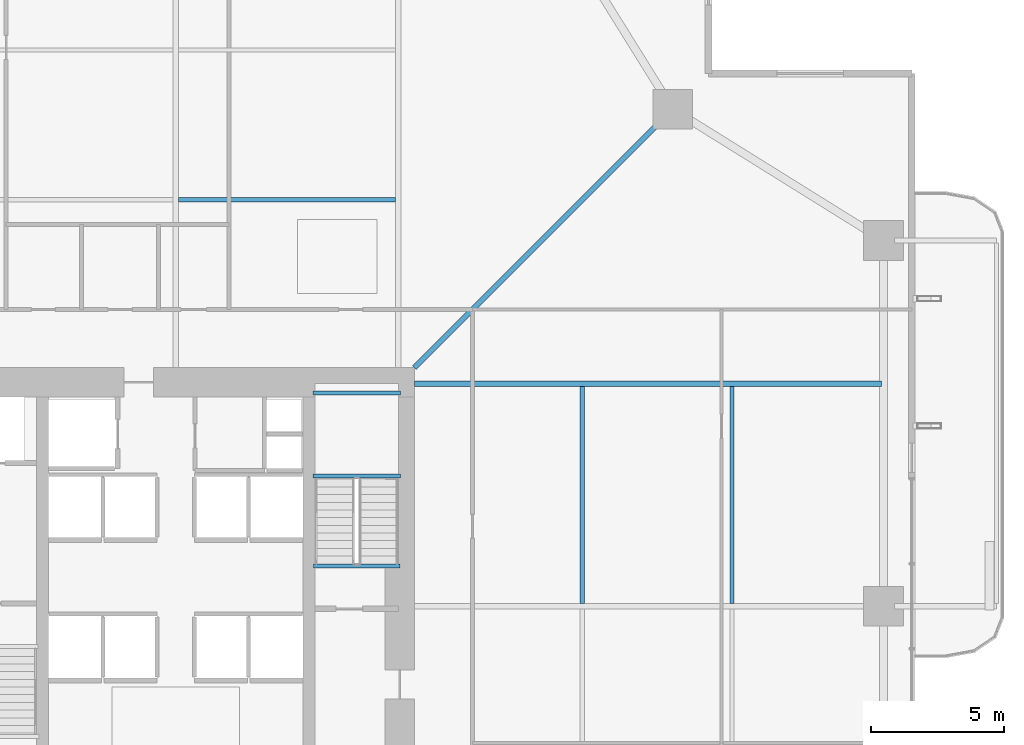
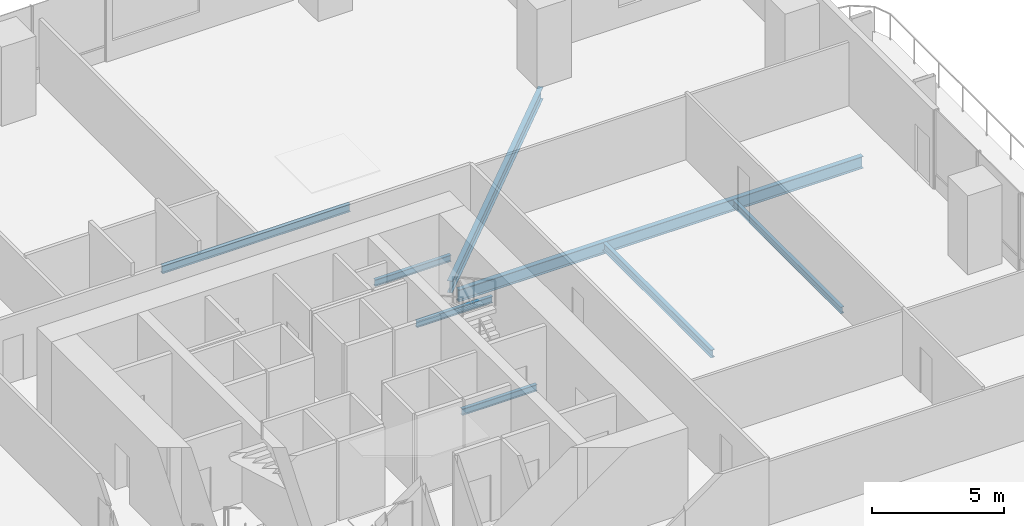
# One storey, part 12 of 24: 8 beams.
"""IFC4 building model written with IfcOpenShell, lengths in metres."""

import ifcopenshell
import ifcopenshell.guid

model = None  # the IFC model being written
_history = None  # IfcOwnerHistory: only IFC2X3 demands one
_inside = {}  # id of a spatial element -> (the spatial element, [elements in it])
_under = {}  # id of a project, library or spatial element -> (it, [spatial elements below it])
_declared = {}  # id of a project -> (the project, [libraries it declares])
_typed = {}  # id of a type object -> (the type object, [elements of that type])
_made_of = {}  # id of a material, layer set ... -> (it, [elements and type objects made of it])


def new_model(schema):
    """Start an empty IFC model of exactly this schema.

    Asked for "IFC4X3", IfcOpenShell would pick the latest addendum, in which some entities
    have other attributes; the version numbers below select the first issue.
    IFC2X3 requires an IfcOwnerHistory on every rooted entity: one is made here for all.
    """
    global model, _history
    if schema == "IFC4X3":
        model = ifcopenshell.file(schema_version=(4, 3, 0, 0))
    else:
        model = ifcopenshell.file(schema=schema)
    _inside.clear()
    _under.clear()
    _declared.clear()
    _typed.clear()
    _made_of.clear()
    _history = None
    if model.schema == "IFC2X3":
        org = make("IfcOrganization", Name="unknown")
        user = make(
            "IfcPersonAndOrganization",
            ThePerson=make("IfcPerson", FamilyName="unknown"),
            TheOrganization=org,
        )
        app = make(
            "IfcApplication",
            ApplicationDeveloper=org,
            Version="unknown",
            ApplicationFullName="unknown",
            ApplicationIdentifier="unknown",
        )
        _history = make(
            "IfcOwnerHistory",
            OwningUser=user,
            OwningApplication=app,
            ChangeAction="ADDED",
            CreationDate=0,
        )
    return model


def make(cls, **values):
    """One entity of the class cls with the attributes given. An attribute that is None is left unset."""
    return model.create_entity(
        cls, **{name: value for name, value in values.items() if value is not None}
    )


def rooted(cls, **values):
    """An entity with a GlobalId (a new one), such as an element, a storey or a relation."""
    return make(cls, GlobalId=ifcopenshell.guid.new(), OwnerHistory=_history, **values)


def si_unit(unit_type, name, prefix=None):
    """IfcSIUnit, for example si_unit("LENGTHUNIT", "METRE", prefix="MILLI")."""
    return make("IfcSIUnit", UnitType=unit_type, Prefix=prefix, Name=name)


def assignment(units):
    """IfcUnitAssignment: the units of a project."""
    return None if units is None else make("IfcUnitAssignment", Units=units)


def point(xyz):
    """IfcCartesianPoint."""
    return None if xyz is None else make("IfcCartesianPoint", Coordinates=xyz)


def direction(xyz):
    """IfcDirection."""
    return None if xyz is None else make("IfcDirection", DirectionRatios=xyz)


def frame(location, z_axis=None, x_axis=None):
    """IfcAxis2Placement3D, a coordinate frame: its origin and axes. An axis left out is left unset."""
    return make(
        "IfcAxis2Placement3D",
        Location=point(location),
        Axis=direction(z_axis),
        RefDirection=direction(x_axis),
    )


def frame_2d(location, x_axis=None):
    """IfcAxis2Placement2D, a coordinate frame in the plane: its origin and x axis."""
    return make(
        "IfcAxis2Placement2D", Location=point(location), RefDirection=direction(x_axis)
    )


def origin():
    """The frame at (0, 0, 0) with its axes left unset."""
    return frame((0.0, 0.0, 0.0))


def origin_2d():
    """The frame at (0, 0) in the plane with its x axis left unset."""
    return frame_2d((0.0, 0.0))


def place(relative_to, where):
    """IfcLocalPlacement: puts the frame where relative to a parent placement (None: the world)."""
    return make(
        "IfcLocalPlacement", PlacementRelTo=relative_to, RelativePlacement=where
    )


def context(
    kind, dimensions, precision=None, world=None, true_north=None, identifier=None
):
    """IfcGeometricRepresentationContext, for example the 3D "Model" context."""
    return make(
        "IfcGeometricRepresentationContext",
        ContextIdentifier=identifier,
        ContextType=kind,
        CoordinateSpaceDimension=dimensions,
        Precision=precision,
        WorldCoordinateSystem=world,
        TrueNorth=true_north,
    )


def subcontext(parent, identifier, kind, view, scale=None):
    """IfcGeometricRepresentationSubContext, for example "Body" below "Model"."""
    return make(
        "IfcGeometricRepresentationSubContext",
        ContextIdentifier=identifier,
        ContextType=kind,
        ParentContext=parent,
        TargetScale=scale,
        TargetView=view,
    )


def project(units=None, contexts=None):
    """IfcProject with its units and contexts."""
    return rooted(
        "IfcProject",
        Name="project",
        RepresentationContexts=contexts,
        UnitsInContext=assignment(units),
    )


def spatial(cls, under=None, at=None, **own):
    """A site, building, storey or space (cls), placed at a placement, below another one or the project."""
    s = rooted(cls, ObjectPlacement=at, **own)
    if under is not None:
        _under.setdefault(under.id(), (under, []))[1].append(s)
    return s


def profile(cls, at=None, kind="AREA", **sizes):
    """A parametric profile (cls). Its sizes go by their IFC names, for example OverallWidth=200.0."""
    return make(cls, ProfileType=kind, Position=at, **sizes)


def i_section(**sizes):
    """IfcIShapeProfileDef."""
    return profile("IfcIShapeProfileDef", **sizes)


def extrude(swept, where, along, depth):
    """IfcExtrudedAreaSolid: the profile swept, set in the frame where, extruded along a direction by depth."""
    return make(
        "IfcExtrudedAreaSolid",
        SweptArea=swept,
        Position=where,
        ExtrudedDirection=direction(along),
        Depth=depth,
    )


def shape(context_of_items, identifier, shape_type, items):
    """IfcShapeRepresentation: the items that make up one representation, for example the "Body"."""
    return make(
        "IfcShapeRepresentation",
        ContextOfItems=context_of_items,
        RepresentationIdentifier=identifier,
        RepresentationType=shape_type,
        Items=items,
    )


def material(Name=None, Category=None):
    """IfcMaterial."""
    return make("IfcMaterial", Name=Name, Category=Category)


def material_profile(
    of_material, cross_section, Name=None, Category=None, Priority=None
):
    """IfcMaterialProfile: a cross section and its material."""
    return make(
        "IfcMaterialProfile",
        Name=Name,
        Material=of_material,
        Profile=cross_section,
        Priority=Priority,
        Category=Category,
    )


def profile_set(profiles, Name=None, composite=None):
    """IfcMaterialProfileSet."""
    return make(
        "IfcMaterialProfileSet",
        Name=Name,
        MaterialProfiles=profiles,
        CompositeProfile=composite,
    )


def made_of(thing, what):
    """Note that an element or type object is made of a material, layer set ...; save() writes the relation."""
    if what is not None:
        _made_of.setdefault(what.id(), (what, []))[1].append(thing)
    return thing


def type_object(cls, material=None, **own):
    """A type object (cls), such as IfcWallType, which elements share."""
    return made_of(rooted(cls, **own), material)


def element(
    cls,
    number,
    at=None,
    inside=None,
    cuts=None,
    type_object=None,
    material=None,
    context=None,
    identifier="Body",
    shape_type=None,
    held_by="IfcProductDefinitionShape",
    body=None,
    shapes=None,
    **own,
):
    """One element of the class cls, such as IfcWall. Its Tag is "e" and its number.

    at: its placement. inside: the storey or other place that contains it. cuts: it is an
    opening in that element (IfcRelVoidsElement). A single representation is given by context,
    identifier, shape_type and body (its items); several are given by shapes. held_by: the class
    of the entity that holds the representations. save() writes the other relations.
    """
    e = rooted(cls, Tag="e%d" % number, ObjectPlacement=at, **own)
    if body is not None:
        shapes = [shape(context, identifier, shape_type, body)]
    if shapes is not None:
        e.Representation = make(held_by, Representations=shapes)
    if inside is not None:
        _inside.setdefault(inside.id(), (inside, []))[1].append(e)
    if cuts is not None:
        rooted(
            "IfcRelVoidsElement", RelatingBuildingElement=cuts, RelatedOpeningElement=e
        )
    if type_object is not None:
        _typed.setdefault(type_object.id(), (type_object, []))[1].append(e)
    return made_of(e, material)


def aggregate(whole, parts):
    """IfcRelAggregates: a whole, such as a stair, and the parts it consists of."""
    return rooted("IfcRelAggregates", RelatingObject=whole, RelatedObjects=parts)


def save(model, path):
    """Write the relations noted so far, then the file.

    IfcRelAggregates (storeys below a building ...), IfcRelContainedInSpatialStructure (elements
    in a storey), IfcRelDefinesByType, IfcRelAssociatesMaterial and IfcRelDeclares: one each for
    every whole, place, type object, material and project.
    """
    for whole, parts in _under.values():
        aggregate(whole, parts)
    for where, things in _inside.values():
        rooted(
            "IfcRelContainedInSpatialStructure",
            RelatedElements=things,
            RelatingStructure=where,
        )
    for kind, things in _typed.values():
        rooted("IfcRelDefinesByType", RelatedObjects=things, RelatingType=kind)
    for what, things in _made_of.values():
        rooted("IfcRelAssociatesMaterial", RelatedObjects=things, RelatingMaterial=what)
    for by, libraries in _declared.values():
        rooted("IfcRelDeclares", RelatingContext=by, RelatedDefinitions=libraries)
    model.write(path)


model = new_model("IFC4")

# Units and contexts
model_context = context("Model", 3, precision=1e-05, world=origin(), true_north=direction((0.0, 1.0)))
body_context = subcontext(model_context, "Body", "Model", "MODEL_VIEW")
ifc_project = project(units=[si_unit("LENGTHUNIT", "METRE"), si_unit("AREAUNIT", "SQUARE_METRE"), si_unit("VOLUMEUNIT", "CUBIC_METRE"), si_unit("PLANEANGLEUNIT", "RADIAN"), si_unit("MASSUNIT", "GRAM", prefix="KILO")], contexts=[model_context])

# Site, building, storey
site_placement = place(None, origin())
site = spatial("IfcSite", under=ifc_project, at=site_placement, CompositionType="ELEMENT")
building_placement = place(site_placement, origin())
building = spatial("IfcBuilding", under=site, at=building_placement, Name="Belovzor Exchange Tower", CompositionType="ELEMENT")
storey_placement = place(building_placement, frame((0.0, 0.0, 96.300048828125)))
storey = spatial("IfcBuildingStorey", under=building, at=storey_placement, Name="L23", CompositionType="ELEMENT", Elevation=96.300048828125)

# Beams
ifc_material_1 = material(Name="Steel S355", Category="steel")
ifc_material_profile_1 = material_profile(ifc_material_1, i_section(OverallWidth=0.169921875, OverallDepth=0.360107421875, WebThickness=0.008056640625, FlangeThickness=0.0126953125, at=origin_2d()))
ifc_profile_set_1 = profile_set([ifc_material_profile_1], Name="Steel S355")
beam_type_1 = type_object("IfcBeamType", Name="Secondary Infill Floor Joist IPE 360", PredefinedType="BEAM", material=ifc_profile_set_1)
for number, where, z_axis, x_axis, name in (
    (1, (28.905029296875, 44.14501953125, -0.429931640625), (1.0, 0.0, 0.0), (0.0, 1.0, 0.0), "FJ-360 Secondary Infill Floor Joist IPE 360"),
    (2, (44.14501953125, 28.905029296875, -0.429931640625), (0.0, 1.0, 0.0), (-1.0, 0.0, 0.0), "FJ-360 Secondary Infill Floor Joist IPE 360"),
):
    element("IfcBeam", number, at=place(storey_placement, frame(where, z_axis=z_axis, x_axis=x_axis)), inside=storey, type_object=beam_type_1, Name=name, PredefinedType="BEAM", context=body_context, shape_type="SweptSolid", body=[
        extrude(i_section(OverallWidth=0.169921875, OverallDepth=0.360107421875, WebThickness=0.008056640625, FlangeThickness=0.0126953125, at=origin_2d()), origin(), (0.0, 0.0, 1.0), 8.18994140625),
    ])
ifc_material_2 = material(Name="Steel S355", Category="steel")
ifc_material_profile_2 = material_profile(ifc_material_2, i_section(OverallWidth=0.14990234375, OverallDepth=0.300048828125, WebThickness=0.007080078125, FlangeThickness=0.0107421875, at=origin_2d()))
ifc_profile_set_2 = profile_set([ifc_material_profile_2], Name="Steel S355")
beam_type_2 = type_object("IfcBeamType", Name="Secondary Trim Floor Joist IPE 300", PredefinedType="BEAM", material=ifc_profile_set_2)
for number, where, z_axis, x_axis, name in (
    (3, (37.280029296875, 33.7099609375, 1.599853515625), (-1.0, 0.0, 0.0), (0.0, -1.0, 0.0), "FJ-300 Secondary Trim Floor Joist IPE 300"),
    (4, (37.280029296875, 36.85009765625, 1.599853515625), (-1.0, 0.0, 0.0), (0.0, -1.0, 0.0), "FJ-300 Secondary Trim Floor Joist IPE 300"),
):
    element("IfcBeam", number, at=place(storey_placement, frame(where, z_axis=z_axis, x_axis=x_axis)), inside=storey, type_object=beam_type_2, Name=name, PredefinedType="BEAM", context=body_context, shape_type="SweptSolid", body=[
        extrude(i_section(OverallWidth=0.14990234375, OverallDepth=0.300048828125, WebThickness=0.007080078125, FlangeThickness=0.0107421875, at=origin_2d()), origin(), (0.0, 0.0, 1.0), 3.31005859375),
    ])
beam_1_placement = place(storey_placement, frame((37.260009765625, 30.320068359375, -0.400146484375), z_axis=(-1.0, 0.0, 0.0), x_axis=(0.0, -1.0, 0.0)))
element("IfcBeam", 5, at=beam_1_placement, inside=storey, type_object=beam_type_2, Name="FJ-300 Secondary Trim Floor Joist IPE 300", PredefinedType="BEAM", context=body_context, shape_type="SweptSolid", body=[
    extrude(i_section(OverallWidth=0.14990234375, OverallDepth=0.300048828125, WebThickness=0.007080078125, FlangeThickness=0.0107421875, at=origin_2d()), origin(), (0.0, 0.0, 1.0), 3.27001953125),
])
beam_2_placement = place(storey_placement, frame((49.784912109375, 28.905029296875, -0.400146484375), z_axis=(0.0, 1.0, 0.0), x_axis=(-1.0, 0.0, 0.0)))
element("IfcBeam", 6, at=beam_2_placement, inside=storey, type_object=beam_type_2, Name="FJ-300 Secondary Trim Floor Joist IPE 300", PredefinedType="BEAM", context=body_context, shape_type="SweptSolid", body=[
    extrude(i_section(OverallWidth=0.14990234375, OverallDepth=0.300048828125, WebThickness=0.007080078125, FlangeThickness=0.0107421875, at=origin_2d()), origin(), (0.0, 0.0, 1.0), 8.18994140625),
])
ifc_material_3 = material(Name="Steel S355", Category="steel")
ifc_material_profile_3 = material_profile(ifc_material_3, i_section(OverallWidth=0.2099609375, OverallDepth=0.550048828125, WebThickness=0.010986328125, FlangeThickness=0.01708984375, at=origin_2d()))
ifc_profile_set_3 = profile_set([ifc_material_profile_3], Name="Steel S355")
beam_type_3 = type_object("IfcBeamType", Name="Zone 1 Radial Composite Floor Beam IPE 550", PredefinedType="BEAM", material=ifc_profile_set_3)
beam_3_placement = place(storey_placement, frame((37.800048828125, 37.199951171875, -0.525146484375), z_axis=(1.0, 0.0, 0.0), x_axis=(0.0, 1.0, 0.0)))
element("IfcBeam", 7, at=beam_3_placement, inside=storey, type_object=beam_type_3, Name="FB-550 Zone 1 Radial Composite Floor Beam IPE 550", PredefinedType="BEAM", context=body_context, shape_type="SweptSolid", body=[
    extrude(i_section(OverallWidth=0.2099609375, OverallDepth=0.550048828125, WebThickness=0.010986328125, FlangeThickness=0.01708984375, at=origin_2d()), origin(), (0.0, 0.0, 1.0), 17.625),
])
beam_4_placement = place(storey_placement, frame((37.800048828125, 37.800048828125, -0.525146484375), z_axis=(0.707106781187, 0.707106781187, 0.0), x_axis=(-0.707106781187, 0.707106781187, 0.0)))
element("IfcBeam", 8, at=beam_4_placement, inside=storey, type_object=beam_type_3, Name="FB-550 Zone 1 Radial Composite Floor Beam IPE 550", PredefinedType="BEAM", context=body_context, shape_type="SweptSolid", body=[
    extrude(i_section(OverallWidth=0.2099609375, OverallDepth=0.550048828125, WebThickness=0.010986328125, FlangeThickness=0.01708984375, at=origin_2d()), origin(), (0.0, 0.0, 1.0), 13.25830078125),
])

save(model, "model.ifc")
